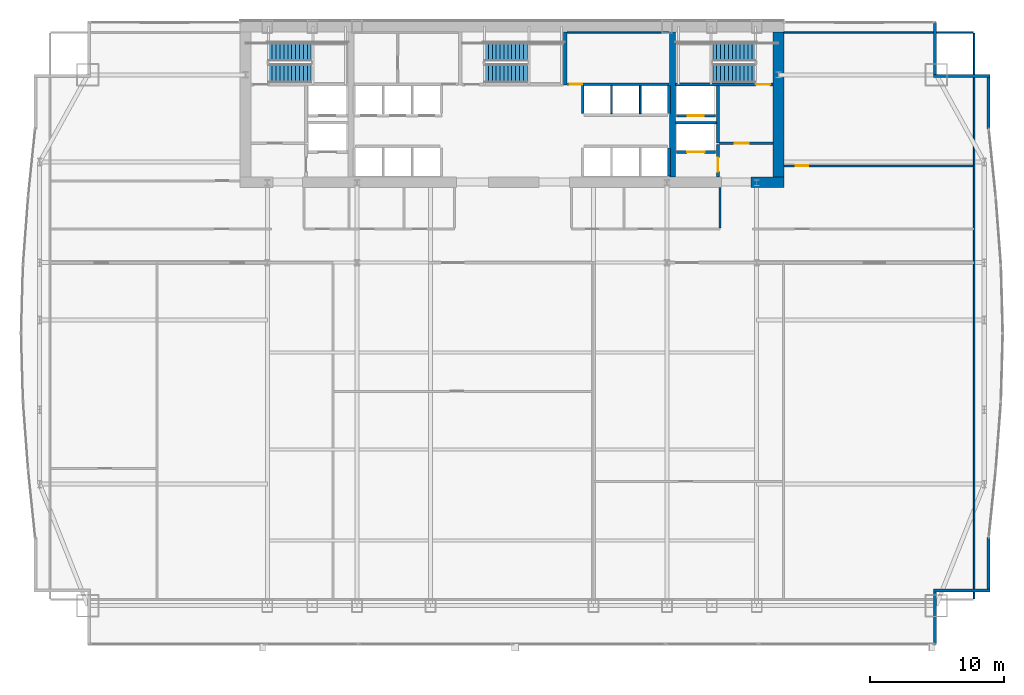
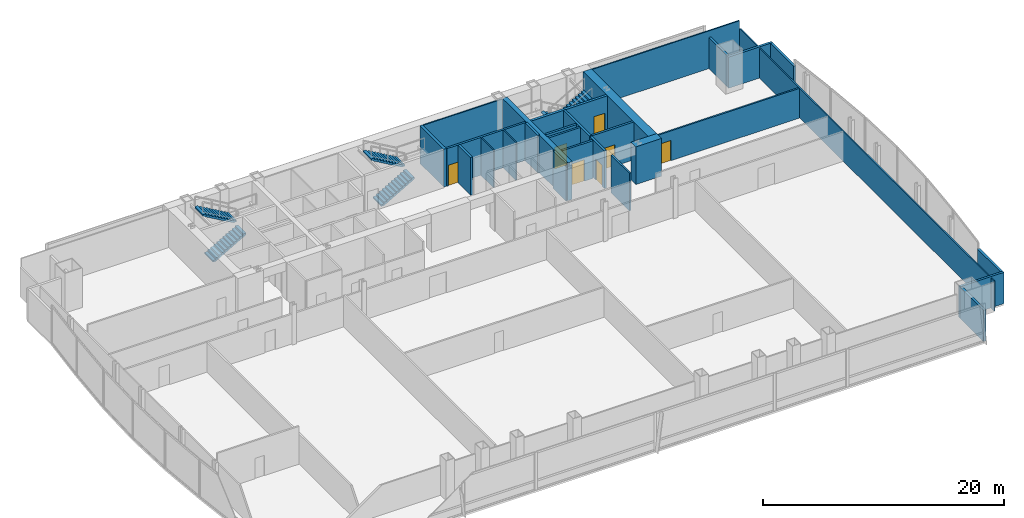
# One storey, part 29 of 32: 28 walls, 7 doors, 6 stair flights, 7 openings, 3 elements without a shape of their own.
"""IFC4 building model written with IfcOpenShell, lengths in metres."""

from ifc_helpers import new_model, si_unit, direction, frame, frame_2d, origin, place, context, subcontext, project, spatial, polyline, rectangle, outline, extrude, material, layer, layer_set, type_object, element, fill, aggregate, save


model = new_model("IFC4")

# Units and contexts
model_context = context("Model", 3, precision=1e-05, world=origin(), true_north=direction((0.0, 1.0)))
body_context = subcontext(model_context, "Body", "Model", "MODEL_VIEW")
ifc_project = project(units=[si_unit("LENGTHUNIT", "METRE"), si_unit("AREAUNIT", "SQUARE_METRE"), si_unit("VOLUMEUNIT", "CUBIC_METRE"), si_unit("PLANEANGLEUNIT", "RADIAN"), si_unit("MASSUNIT", "GRAM", prefix="KILO")], contexts=[model_context])

# Site, building, storey
site_placement = place(None, origin())
site = spatial("IfcSite", under=ifc_project, at=site_placement, CompositionType="ELEMENT")
building_placement = place(site_placement, origin())
building = spatial("IfcBuilding", under=site, at=building_placement, Name="Khoronbel Lancet Exchange", CompositionType="ELEMENT")
storey_placement = place(building_placement, frame((0.0, 0.0, 29.800048828125)))
storey = spatial("IfcBuildingStorey", under=building, at=storey_placement, Name="L06", CompositionType="ELEMENT", Elevation=29.800048828125)

# Walls
ifc_material_1 = material(Name="Concrete C80/95", Category="concrete")
ifc_layer_1 = layer(ifc_material_1, 0.800048828125, Name="Concrete C80/95")
ifc_layer_set_1 = layer_set([ifc_layer_1], Name="Concrete C80/95")
wall_type_1 = type_object("IfcWallType", Name="WL-CW1", PredefinedType="SHEAR", material=ifc_layer_set_1)
wall_1_placement = place(storey_placement, frame((56.300048828125, 52.89990234375, 0.0), z_axis=(0.0, 0.0, 1.0), x_axis=(0.0, -1.0, 0.0)))
element("IfcWall", 1, at=wall_1_placement, inside=storey, type_object=wall_type_1, Name="Level L06 rear core east shear wall", PredefinedType="SHEAR", context=body_context, shape_type="SweptSolid", body=[
    extrude(rectangle(XDim=10.7998046875, YDim=0.800048828125, at=frame_2d((5.39990234375, 0.0))), origin(), (0.0, 0.0, 1.0), 3.820068359375),
])
wall_2_placement = place(storey_placement, frame((56.699951171875, 41.699951171875, 0.0), z_axis=(0.0, 0.0, 1.0), x_axis=(-1.0, 0.0, 0.0)))
element("IfcWall", 2, at=wall_2_placement, inside=storey, type_object=wall_type_1, Name="Level L06 rear core south shear wall pier P5", PredefinedType="SHEAR", context=body_context, shape_type="SweptSolid", body=[
    extrude(rectangle(XDim=2.449951171875, YDim=0.800048828125, at=frame_2d((1.22509765625, 0.0))), origin(), (0.0, 0.0, 1.0), 3.820068359375),
])
ifc_material_2 = material(Name="Precast concrete C40/50", Category="concrete")
ifc_layer_2 = layer(ifc_material_2, 0.25, Name="Precast concrete C40/50")
ifc_layer_set_2 = layer_set([ifc_layer_2], Name="Precast concrete C40/50")
wall_type_2 = type_object("IfcWallType", Name="WL-EXT250", PredefinedType="SOLIDWALL", material=ifc_layer_set_2)
wall_3_placement = place(storey_placement, frame((67.9599609375, 53.6298828125, 0.0), z_axis=(0.0, 0.0, 1.0), x_axis=(0.0, -1.0, 0.0)))
element("IfcWall", 3, at=wall_3_placement, inside=storey, type_object=wall_type_2, Name="Level L06 notched-corner limestone pier 14", PredefinedType="SOLIDWALL", context=body_context, shape_type="SweptSolid", body=[
    extrude(rectangle(XDim=3.909912109375, YDim=0.219970703125, at=frame_2d((1.955078125, 0.0))), origin(), (0.0, 0.0, 1.0), 3.159912109375),
])
wall_4_placement = place(storey_placement, frame((67.85009765625, 49.610107421875, 0.0), z_axis=(0.0, 0.0, 1.0), x_axis=(1.0, 0.0, 0.0)))
element("IfcWall", 4, at=wall_4_placement, inside=storey, type_object=wall_type_2, Name="Level L06 notched-corner limestone pier 15", PredefinedType="SOLIDWALL", context=body_context, shape_type="SweptSolid", body=[
    extrude(rectangle(XDim=4.219970703125, YDim=0.219970703125, at=frame_2d((2.10986328125, 0.0))), origin(), (0.0, 0.0, 1.0), 3.159912109375),
])
for number, where, z_axis, x_axis, name in (
    (5, (71.9599609375, 49.5, 0.0), (0.0, 0.0, 1.0), (0.0, -1.0, 0.0), "Level L06 notched-corner limestone pier 16"),
    (6, (71.9599609375, 15.224609375, 0.0), (0.0, 0.0, 1.0), (0.0, -1.0, 0.0), "Level L06 notched-corner limestone pier 23"),
):
    element("IfcWall", number, at=place(storey_placement, frame(where, z_axis=z_axis, x_axis=x_axis)), inside=storey, type_object=wall_type_2, Name=name, PredefinedType="SOLIDWALL", context=body_context, shape_type="SweptSolid", body=[
        extrude(rectangle(XDim=3.82470703125, YDim=0.219970703125, at=frame_2d((1.912353515625, 0.0))), origin(), (0.0, 0.0, 1.0), 3.159912109375),
    ])
wall_5_placement = place(storey_placement, frame((72.070068359375, 11.2900390625, 0.0), z_axis=(0.0, 0.0, 1.0), x_axis=(-1.0, 0.0, 0.0)))
element("IfcWall", 7, at=wall_5_placement, inside=storey, type_object=wall_type_2, Name="Level L06 notched-corner limestone pier 24", PredefinedType="SOLIDWALL", context=body_context, shape_type="SweptSolid", body=[
    extrude(rectangle(XDim=4.219970703125, YDim=0.219970703125, at=frame_2d((2.10986328125, 0.0))), origin(), (0.0, 0.0, 1.0), 3.159912109375),
])
wall_6_placement = place(storey_placement, frame((67.9599609375, 11.179931640625, 0.0), z_axis=(0.0, 0.0, 1.0), x_axis=(0.0, -1.0, 0.0)))
element("IfcWall", 8, at=wall_6_placement, inside=storey, type_object=wall_type_2, Name="Level L06 notched-corner limestone pier 25", PredefinedType="SOLIDWALL", context=body_context, shape_type="SweptSolid", body=[
    extrude(rectangle(XDim=3.909912109375, YDim=0.219970703125, at=frame_2d((1.955078125, 0.0))), origin(), (0.0, 0.0, 1.0), 3.159912109375),
])
ifc_material_3 = material(Name="Acoustic Metal-Stud & Mineral-Wool Gypsum Partition 120 mm", Category="gypsum")
ifc_layer_3 = layer(ifc_material_3, 0.1201171875, Name="Acoustic Metal-Stud & Mineral-Wool Gypsum Partition 120 mm")
ifc_layer_set_3 = layer_set([ifc_layer_3], Name="Acoustic Metal-Stud & Mineral-Wool Gypsum Partition 120 mm")
wall_type_3 = type_object("IfcWallType", Name="WL-PRT120", PredefinedType="PARTITIONING", material=ifc_layer_set_3)
wall_7_placement = place(storey_placement, frame((51.949951171875, 38.280029296875, 0.0), z_axis=(0.0, 0.0, 1.0), x_axis=(0.0, 1.0, 0.0)))
element("IfcWall", 9, at=wall_7_placement, inside=storey, type_object=wall_type_3, Name="Level L06 interior partition PW-NP-1", PredefinedType="PARTITIONING", context=body_context, shape_type="SweptSolid", body=[
    extrude(rectangle(XDim=3.02001953125, YDim=0.14990234375, at=frame_2d((1.510009765625, 0.0))), origin(), (0.0, 0.0, 1.0), 3.820068359375),
])

# Wall, opening, door
wall_8_placement = place(storey_placement, frame((56.699951171875, 42.919921875, 0.0), z_axis=(0.0, 0.0, 1.0), x_axis=(1.0, 0.0, 0.0)))
wall_8 = element("IfcWall", 10, at=wall_8_placement, inside=storey, type_object=wall_type_3, Name="Level L06 interior partition PW-NE-H", PredefinedType="PARTITIONING", context=body_context, shape_type="SweptSolid", body=[
    extrude(rectangle(XDim=14.10498046875, YDim=0.14990234375, at=frame_2d((7.052490234375, 0.0))), origin(), (0.0, 0.0, 1.0), 3.010009765625),
])
opening_1_placement = place(wall_8_placement, frame((0.89990234375, 0.0, 0.0)))
opening_1 = element("IfcOpeningElement", 11, at=opening_1_placement, cuts=wall_8, Name="Opening D5", PredefinedType="OPENING", context=body_context, shape_type="SweptSolid", body=[
    extrude(rectangle(XDim=0.89990234375, YDim=2.050048828125, at=frame_2d((0.449951171875, 1.02490234375))), frame((0.0, 0.0849609375, 0.0), z_axis=(0.0, -1.0, 0.0), x_axis=(1.0, 0.0, 0.0)), (0.0, 0.0, 1.0), 0.169921875),
])
ifc_material_4 = material(Name="Acoustic Timber Pantry & Support Door", Category="wood")
door_type_1 = type_object("IfcDoorType", Name="DR-D5", OperationType="NOTDEFINED", PredefinedType="DOOR", material=ifc_material_4)
door_1_placement = place(opening_1_placement, origin())
door_1 = element("IfcDoor", 12, at=door_1_placement, inside=storey, type_object=door_type_1, Name="NE north room door L06-1", OperationType="SINGLE_SWING_RIGHT", OverallHeight=2.050048828125, OverallWidth=0.89990234375, PredefinedType="DOOR", context=body_context, shape_type="SweptSolid", body=[
    extrude(rectangle(XDim=0.89990234375, YDim=2.050048828125, at=frame_2d((0.449951171875, 1.02490234375))), frame((0.0, 0.02490234375, 0.0), z_axis=(0.0, -1.0, 0.0), x_axis=(1.0, 0.0, 0.0)), (0.0, 0.0, 1.0), 0.050048828125),
])
fill(opening_1, door_1)

# Walls
wall_9_placement = place(storey_placement, frame((70.8701171875, 10.6650390625, 0.0), z_axis=(0.0, 0.0, 1.0), x_axis=(0.0, 1.0, 0.0)))
element("IfcWall", 13, at=wall_9_placement, inside=storey, type_object=wall_type_3, Name="Level L06 interior partition PW-LIN-E", PredefinedType="PARTITIONING", context=body_context, shape_type="SweptSolid", body=[
    extrude(rectangle(XDim=42.10986328125, YDim=0.1201171875, at=frame_2d((21.054931640625, 0.0))), origin(), (0.0, 0.0, 1.0), 3.010009765625),
])
wall_10_placement = place(storey_placement, frame((56.699951171875, 52.840087890625, 0.0), z_axis=(0.0, 0.0, 1.0), x_axis=(1.0, 0.0, 0.0)))
element("IfcWall", 14, at=wall_10_placement, inside=storey, type_object=wall_type_3, Name="Level L06 interior partition PW-LIN-NE", PredefinedType="PARTITIONING", context=body_context, shape_type="SweptSolid", body=[
    extrude(rectangle(XDim=14.10498046875, YDim=0.1201171875, at=frame_2d((7.052490234375, 0.0))), origin(), (0.0, 0.0, 1.0), 3.820068359375),
])
ifc_material_5 = material(Name="Fire-Rated Metal-Stud & Mineral-Wool Gypsum Partition 120 mm", Category="gypsum")
ifc_layer_4 = layer(ifc_material_5, 0.1201171875, Name="Fire-Rated Metal-Stud & Mineral-Wool Gypsum Partition 120 mm")
ifc_layer_set_4 = layer_set([ifc_layer_4], Name="Fire-Rated Metal-Stud & Mineral-Wool Gypsum Partition 120 mm")
wall_type_4 = type_object("IfcWallType", Name="WL-PRT120F", PredefinedType="PARTITIONING", material=ifc_layer_set_4)
for number, where, z_axis, x_axis, name in (
    (15, (43.860107421875, 46.804931640625, 0.0), (0.0, 0.0, 1.0), (0.0, 1.0, 0.0), "Level L06 interior partition CW-PH-D1"),
    (16, (46.0, 46.804931640625, 0.0), (0.0, 0.0, 1.0), (0.0, 1.0, 0.0), "Level L06 interior partition CW-PH-D2"),
):
    element("IfcWall", number, at=place(storey_placement, frame(where, z_axis=z_axis, x_axis=x_axis)), inside=storey, type_object=wall_type_4, Name=name, PredefinedType="PARTITIONING", context=body_context, shape_type="SweptSolid", body=[
        extrude(rectangle(XDim=2.090087890625, YDim=0.1201171875, at=frame_2d((1.044921875, 0.0))), origin(), (0.0, 0.0, 1.0), 3.820068359375),
    ])
wall_11_placement = place(storey_placement, frame((40.580078125, 52.860107421875, 0.0), z_axis=(0.0, 0.0, 1.0), x_axis=(1.0, 0.0, 0.0)))
element("IfcWall", 17, at=wall_11_placement, inside=storey, type_object=wall_type_4, Name="Level L06 interior partition CW-SUP-NE-N", PredefinedType="PARTITIONING", context=body_context, shape_type="SweptSolid", body=[
    extrude(rectangle(XDim=7.559814453125, YDim=0.1201171875, at=frame_2d((3.77978515625, 0.0))), origin(), (0.0, 0.0, 1.0), 3.820068359375),
])

# Wall, opening, door
ifc_material_6 = material(Name="Autoclaved Aerated Concrete Blockwork 200 mm", Category="masonry")
ifc_layer_5 = layer(ifc_material_6, 0.199951171875, Name="Autoclaved Aerated Concrete Blockwork 200 mm")
ifc_layer_set_5 = layer_set([ifc_layer_5], Name="Autoclaved Aerated Concrete Blockwork 200 mm")
wall_type_5 = type_object("IfcWallType", Name="WL-PRT200", PredefinedType="PARTITIONING", material=ifc_layer_set_5)
wall_12_placement = place(storey_placement, frame((51.610107421875, 43.949951171875, 0.0), z_axis=(0.0, 0.0, 1.0), x_axis=(-1.0, 0.0, 0.0)))
wall_12 = element("IfcWall", 18, at=wall_12_placement, inside=storey, type_object=wall_type_5, Name="Level L06 elevator hoistway landing front wall SVLE", PredefinedType="PARTITIONING", context=body_context, shape_type="SweptSolid", body=[
    extrude(rectangle(XDim=2.920166015625, YDim=0.199951171875, at=frame_2d((1.4599609375, 0.0))), origin(), (0.0, 0.0, 1.0), 3.820068359375),
])
opening_2_placement = place(wall_12_placement, frame((0.81005859375, 0.0, 0.0)))
opening_2 = element("IfcOpeningElement", 19, at=opening_2_placement, cuts=wall_12, Name="Opening LD-SVL2", PredefinedType="OPENING", context=body_context, shape_type="SweptSolid", body=[
    extrude(rectangle(XDim=1.300048828125, YDim=2.179931640625, at=frame_2d((0.64990234375, 1.08984375))), frame((0.0, 0.10986328125, 0.0), z_axis=(0.0, -1.0, 0.0), x_axis=(1.0, 0.0, 0.0)), (0.0, 0.0, 1.0), 0.219970703125),
])
ifc_material_7 = material(Name="Heavy-Duty Bi-Parting Goods Lift Landing Door", Category="steel")
door_type_2 = type_object("IfcDoorType", Name="DR-LD-SVL", OperationType="NOTDEFINED", PredefinedType="DOOR", material=ifc_material_7)
door_2_placement = place(opening_2_placement, origin())
door_2 = element("IfcDoor", 20, at=door_2_placement, inside=storey, type_object=door_type_2, Name="Elevator landing sliding door LD-SVL2 L06", OperationType="SLIDING_TO_LEFT", OverallHeight=2.179931640625, OverallWidth=1.300048828125, PredefinedType="DOOR", context=body_context, shape_type="SweptSolid", body=[
    extrude(rectangle(XDim=1.300048828125, YDim=2.179931640625, at=frame_2d((0.64990234375, 1.08984375))), frame((0.0, 0.02490234375, 0.0), z_axis=(0.0, -1.0, 0.0), x_axis=(1.0, 0.0, 0.0)), (0.0, 0.0, 1.0), 0.050048828125),
])
fill(opening_2, door_2)

wall_13_placement = place(storey_placement, frame((51.610107421875, 46.64990234375, 0.0), z_axis=(0.0, 0.0, 1.0), x_axis=(-1.0, 0.0, 0.0)))
wall_13 = element("IfcWall", 21, at=wall_13_placement, inside=storey, type_object=wall_type_5, Name="Level L06 elevator hoistway landing front wall FFLE", PredefinedType="PARTITIONING", context=body_context, shape_type="SweptSolid", body=[
    extrude(rectangle(XDim=2.920166015625, YDim=0.199951171875, at=frame_2d((1.4599609375, 0.0))), origin(), (0.0, 0.0, 1.0), 3.820068359375),
])
opening_3_placement = place(wall_13_placement, frame((0.860107421875, 0.0, 0.0)))
opening_3 = element("IfcOpeningElement", 22, at=opening_3_placement, cuts=wall_13, Name="Opening LD-FFL2", PredefinedType="OPENING", context=body_context, shape_type="SweptSolid", body=[
    extrude(rectangle(XDim=1.199951171875, YDim=2.179931640625, at=frame_2d((0.60009765625, 1.08984375))), frame((0.0, 0.10986328125, 0.0), z_axis=(0.0, -1.0, 0.0), x_axis=(1.0, 0.0, 0.0)), (0.0, 0.0, 1.0), 0.219970703125),
])
ifc_material_8 = material(Name="Fire-Rated Stainless Bi-Parting Firefighting Lift Door", Category="steel")
door_type_3 = type_object("IfcDoorType", Name="DR-LD-FFL", OperationType="NOTDEFINED", PredefinedType="DOOR", material=ifc_material_8)
door_3_placement = place(opening_3_placement, origin())
door_3 = element("IfcDoor", 23, at=door_3_placement, inside=storey, type_object=door_type_3, Name="Elevator landing sliding door LD-FFL2 L06", OperationType="SLIDING_TO_LEFT", OverallHeight=2.179931640625, OverallWidth=1.199951171875, PredefinedType="DOOR", context=body_context, shape_type="SweptSolid", body=[
    extrude(rectangle(XDim=1.199951171875, YDim=2.179931640625, at=frame_2d((0.60009765625, 1.08984375))), frame((0.0, 0.02490234375, 0.0), z_axis=(0.0, -1.0, 0.0), x_axis=(1.0, 0.0, 0.0)), (0.0, 0.0, 1.0), 0.050048828125),
])
fill(opening_3, door_3)

# Wall
wall_14_placement = place(storey_placement, frame((51.800048828125, 44.60009765625, 0.0), z_axis=(0.0, 0.0, 1.0), x_axis=(0.0, 1.0, 0.0)))
element("IfcWall", 24, at=wall_14_placement, inside=storey, type_object=wall_type_5, Name="Level L06 interior partition CW-FFLE-W", PredefinedType="PARTITIONING", context=body_context, shape_type="SweptSolid", body=[
    extrude(rectangle(XDim=4.2998046875, YDim=0.199951171875, at=frame_2d((2.14990234375, 0.0))), origin(), (0.0, 0.0, 1.0), 3.820068359375),
])

# Wall, opening, door
wall_15_placement = place(storey_placement, frame((51.89990234375, 44.60009765625, 0.0), z_axis=(0.0, 0.0, 1.0), x_axis=(1.0, 0.0, 0.0)))
wall_15 = element("IfcWall", 25, at=wall_15_placement, inside=storey, type_object=wall_type_5, Name="Level L06 interior partition CW-FFLE-S", PredefinedType="PARTITIONING", context=body_context, shape_type="SweptSolid", body=[
    extrude(rectangle(XDim=4.0, YDim=0.199951171875, at=frame_2d((2.0, 0.0))), origin(), (0.0, 0.0, 1.0), 3.820068359375),
])
opening_4_placement = place(wall_15_placement, frame((1.14990234375, 0.0, 0.0)))
opening_4 = element("IfcOpeningElement", 26, at=opening_4_placement, cuts=wall_15, Name="Opening FD1", PredefinedType="OPENING", context=body_context, shape_type="SweptSolid", body=[
    extrude(rectangle(XDim=1.050048828125, YDim=2.14990234375, at=frame_2d((0.52490234375, 1.074951171875))), frame((0.0, 0.10986328125, 0.0), z_axis=(0.0, -1.0, 0.0), x_axis=(1.0, 0.0, 0.0)), (0.0, 0.0, 1.0), 0.219970703125),
])
ifc_material_9 = material(Name="Fire-Rated Painted Steel Door Assembly", Category="steel")
door_type_4 = type_object("IfcDoorType", Name="DR-FD1", OperationType="NOTDEFINED", PredefinedType="DOOR", material=ifc_material_9)
door_4_placement = place(opening_4_placement, origin())
door_4 = element("IfcDoor", 27, at=door_4_placement, inside=storey, type_object=door_type_4, Name="East firefighting lobby FD90S door L06-1", OperationType="SINGLE_SWING_LEFT", OverallHeight=2.14990234375, OverallWidth=1.050048828125, PredefinedType="DOOR", context=body_context, shape_type="SweptSolid", body=[
    extrude(rectangle(XDim=1.050048828125, YDim=2.14990234375, at=frame_2d((0.52490234375, 1.074951171875))), frame((0.0, 0.02490234375, 0.0), z_axis=(0.0, -1.0, 0.0), x_axis=(1.0, 0.0, 0.0)), (0.0, 0.0, 1.0), 0.050048828125),
])
fill(opening_4, door_4)

# Wall
wall_16_placement = place(storey_placement, frame((48.6298828125, 46.1201171875, 0.0), z_axis=(0.0, 0.0, 1.0), x_axis=(1.0, 0.0, 0.0)))
element("IfcWall", 28, at=wall_16_placement, inside=storey, type_object=wall_type_5, Name="Level L06 interior partition CW-FFL2-S", PredefinedType="PARTITIONING", context=body_context, shape_type="SweptSolid", body=[
    extrude(rectangle(XDim=3.070068359375, YDim=0.199951171875, at=frame_2d((1.53515625, 0.0))), origin(), (0.0, 0.0, 1.0), 3.820068359375),
])

# Wall, opening, door
wall_17_placement = place(storey_placement, frame((51.800048828125, 42.10009765625, 0.0), z_axis=(0.0, 0.0, 1.0), x_axis=(0.0, 1.0, 0.0)))
wall_17 = element("IfcWall", 29, at=wall_17_placement, inside=storey, type_object=wall_type_5, Name="Level L06 interior partition CW-SVLE-E", PredefinedType="PARTITIONING", context=body_context, shape_type="SweptSolid", body=[
    extrude(rectangle(XDim=2.39501953125, YDim=0.199951171875, at=frame_2d((1.197509765625, 0.0))), origin(), (0.0, 0.0, 1.0), 3.820068359375),
])
opening_5_placement = place(wall_17_placement, frame((0.3798828125, 0.0, 0.0)))
opening_5 = element("IfcOpeningElement", 30, at=opening_5_placement, cuts=wall_17, Name="Opening FD1", PredefinedType="OPENING", context=body_context, shape_type="SweptSolid", body=[
    extrude(rectangle(XDim=1.050048828125, YDim=2.14990234375, at=frame_2d((0.52490234375, 1.074951171875))), frame((0.0, 0.10986328125, 0.0), z_axis=(0.0, -1.0, 0.0), x_axis=(1.0, 0.0, 0.0)), (0.0, 0.0, 1.0), 0.219970703125),
])
door_5_placement = place(opening_5_placement, origin())
door_5 = element("IfcDoor", 31, at=door_5_placement, inside=storey, type_object=door_type_4, Name="East service lift lobby door L06-1", OperationType="SINGLE_SWING_RIGHT", OverallHeight=2.14990234375, OverallWidth=1.050048828125, PredefinedType="DOOR", context=body_context, shape_type="SweptSolid", body=[
    extrude(rectangle(XDim=1.050048828125, YDim=2.14990234375, at=frame_2d((0.52490234375, 1.074951171875))), frame((0.0, 0.02490234375, 0.0), z_axis=(0.0, -1.0, 0.0), x_axis=(1.0, 0.0, 0.0)), (0.0, 0.0, 1.0), 0.050048828125),
])
fill(opening_5, door_5)

# Walls
for number, where, z_axis, x_axis, name in (
    (32, (41.719970703125, 46.804931640625, 0.0), (0.0, 0.0, 1.0), (0.0, 1.0, 0.0), "Level L06 interior partition CW-PH-W"),
    (33, (48.139892578125, 46.804931640625, 0.0), (0.0, 0.0, 1.0), (0.0, 1.0, 0.0), "Level L06 interior partition CW-PH-E"),
):
    element("IfcWall", number, at=place(storey_placement, frame(where, z_axis=z_axis, x_axis=x_axis)), inside=storey, type_object=wall_type_5, Name=name, PredefinedType="PARTITIONING", context=body_context, shape_type="SweptSolid", body=[
        extrude(rectangle(XDim=2.090087890625, YDim=0.199951171875, at=frame_2d((1.044921875, 0.0))), origin(), (0.0, 0.0, 1.0), 3.820068359375),
    ])
wall_18_placement = place(storey_placement, frame((48.139892578125, 42.14990234375, 0.0), z_axis=(0.0, 0.0, 1.0), x_axis=(0.0, 1.0, 0.0)))
element("IfcWall", 34, at=wall_18_placement, inside=storey, type_object=wall_type_5, Name="Level L06 interior partition CW-PX-E", PredefinedType="PARTITIONING", context=body_context, shape_type="SweptSolid", body=[
    extrude(rectangle(XDim=2.09521484375, YDim=0.199951171875, at=frame_2d((1.047607421875, 0.0))), origin(), (0.0, 0.0, 1.0), 3.820068359375),
])

# Wall, opening, door
wall_19_placement = place(storey_placement, frame((40.580078125, 49.0, 0.0), z_axis=(0.0, 0.0, 1.0), x_axis=(1.0, 0.0, 0.0)))
wall_19 = element("IfcWall", 35, at=wall_19_placement, inside=storey, type_object=wall_type_5, Name="Level L06 interior partition CW-SUP-NE-S", PredefinedType="PARTITIONING", context=body_context, shape_type="SweptSolid", body=[
    extrude(rectangle(XDim=7.559814453125, YDim=0.199951171875, at=frame_2d((3.77978515625, 0.0))), origin(), (0.0, 0.0, 1.0), 3.820068359375),
])
opening_6_placement = place(wall_19_placement, frame((0.159912109375, 0.0, 0.0)))
opening_6 = element("IfcOpeningElement", 36, at=opening_6_placement, cuts=wall_19, Name="Opening FD3", PredefinedType="OPENING", context=body_context, shape_type="SweptSolid", body=[
    extrude(rectangle(XDim=0.949951171875, YDim=2.10009765625, at=frame_2d((0.47509765625, 1.050048828125))), frame((0.0, 0.10986328125, 0.0), z_axis=(0.0, -1.0, 0.0), x_axis=(1.0, 0.0, 0.0)), (0.0, 0.0, 1.0), 0.219970703125),
])
ifc_material_10 = material(Name="Fire-Rated Steel Plant & Riser Door Assembly", Category="steel")
door_type_5 = type_object("IfcDoorType", Name="DR-FD3", OperationType="NOTDEFINED", PredefinedType="DOOR", material=ifc_material_10)
door_6_placement = place(opening_6_placement, origin())
door_6 = element("IfcDoor", 37, at=door_6_placement, inside=storey, type_object=door_type_5, Name="Core NE support room door L06-1", OperationType="SINGLE_SWING_LEFT", OverallHeight=2.10009765625, OverallWidth=0.949951171875, PredefinedType="DOOR", context=body_context, shape_type="SweptSolid", body=[
    extrude(rectangle(XDim=0.949951171875, YDim=2.10009765625, at=frame_2d((0.47509765625, 1.050048828125))), frame((0.0, 0.02490234375, 0.0), z_axis=(0.0, -1.0, 0.0), x_axis=(1.0, 0.0, 0.0)), (0.0, 0.0, 1.0), 0.050048828125),
])
fill(opening_6, door_6)

# Walls
ifc_layer_6 = layer(ifc_material_1, 0.449951171875, Name="Concrete C80/95")
ifc_layer_set_6 = layer_set([ifc_layer_6], Name="Concrete C80/95")
wall_type_6 = type_object("IfcWallType", Name="WL-SW1", PredefinedType="SHEAR", material=ifc_layer_set_6)
wall_20_placement = place(storey_placement, frame((48.39990234375, 42.10009765625, 0.0), z_axis=(0.0, 0.0, 1.0), x_axis=(0.0, 1.0, 0.0)))
element("IfcWall", 38, at=wall_20_placement, inside=storey, type_object=wall_type_6, Name="Level L06 rear core internal spine shear wall IE", PredefinedType="SHEAR", context=body_context, shape_type="SweptSolid", body=[
    extrude(rectangle(XDim=10.7998046875, YDim=0.449951171875, at=frame_2d((5.39990234375, 0.0))), origin(), (0.0, 0.0, 1.0), 3.820068359375),
])
ifc_material_11 = material(Name="Concrete C60/75", Category="concrete")
ifc_layer_7 = layer(ifc_material_11, 0.260009765625, Name="Concrete C60/75")
ifc_layer_set_7 = layer_set([ifc_layer_7], Name="Concrete C60/75")
wall_type_7 = type_object("IfcWallType", Name="WL-SW3", PredefinedType="SHEAR", material=ifc_layer_set_7)
wall_21_placement = place(storey_placement, frame((40.419921875, 48.949951171875, 0.0), z_axis=(0.0, 0.0, 1.0), x_axis=(0.0, 1.0, 0.0)))
element("IfcWall", 39, at=wall_21_placement, inside=storey, type_object=wall_type_7, Name="Level L06 central stairwell structural shear wall ST3E", PredefinedType="SHEAR", context=body_context, shape_type="SweptSolid", body=[
    extrude(rectangle(XDim=3.949951171875, YDim=0.260009765625, at=frame_2d((1.97509765625, 0.0))), origin(), (0.0, 0.0, 1.0), 3.820068359375),
])

# Wall, opening, door
wall_22_placement = place(storey_placement, frame((48.6298828125, 48.97998046875, 0.0), z_axis=(0.0, 0.0, 1.0), x_axis=(1.0, 0.0, 0.0)))
wall_22 = element("IfcWall", 40, at=wall_22_placement, inside=storey, type_object=wall_type_7, Name="Level L06 east stairwell structural south wall", PredefinedType="SHEAR", context=body_context, shape_type="SweptSolid", body=[
    extrude(rectangle(XDim=7.27001953125, YDim=0.239990234375, at=frame_2d((3.635009765625, 0.0))), origin(), (0.0, 0.0, 1.0), 3.820068359375),
])
opening_7_placement = place(wall_22_placement, frame((6.0, 0.0, 0.0)))
opening_7 = element("IfcOpeningElement", 41, at=opening_7_placement, cuts=wall_22, Name="Opening SD1", PredefinedType="OPENING", context=body_context, shape_type="SweptSolid", body=[
    extrude(rectangle(XDim=1.050048828125, YDim=2.14990234375, at=frame_2d((0.52490234375, 1.074951171875))), frame((0.0, 0.1298828125, 0.0), z_axis=(0.0, -1.0, 0.0), x_axis=(1.0, 0.0, 0.0)), (0.0, 0.0, 1.0), 0.260009765625),
])
ifc_material_12 = material(Name="Fire-Rated Steel Stairwell Door Assembly", Category="steel")
door_type_6 = type_object("IfcDoorType", Name="DR-SD1", OperationType="NOTDEFINED", PredefinedType="DOOR", material=ifc_material_12)
door_7_placement = place(opening_7_placement, origin())
door_7 = element("IfcDoor", 42, at=door_7_placement, inside=storey, type_object=door_type_6, Name="Protected exit stair ST2 door L06", OperationType="SINGLE_SWING_RIGHT", OverallHeight=2.14990234375, OverallWidth=1.050048828125, PredefinedType="DOOR", context=body_context, shape_type="SweptSolid", body=[
    extrude(rectangle(XDim=1.050048828125, YDim=2.14990234375, at=frame_2d((0.52490234375, 1.074951171875))), frame((0.0, 0.02490234375, 0.0), z_axis=(0.0, -1.0, 0.0), x_axis=(1.0, 0.0, 0.0)), (0.0, 0.0, 1.0), 0.050048828125),
])
fill(opening_7, door_7)

# Stair, stair flights
ifc_material_13 = material(Name="Concrete C40/50", Category="concrete")
stair_type = type_object("IfcStairType", Name="STR-CORE150", PredefinedType="HALF_TURN_STAIR", material=ifc_material_13)
stair_1_placement = place(storey_placement, origin())
stair_1 = element("IfcStair", 43, at=stair_1_placement, inside=storey, type_object=stair_type, Name="L06 Protected Exit Stair ST1", PredefinedType="HALF_TURN_STAIR")
stair_flight_type = type_object("IfcStairFlightType", Name="STF-150", PredefinedType="STRAIGHT", material=ifc_material_13)
stair_flight_1_placement = place(storey_placement, frame((18.300048828125, 49.81005859375, 0.0), z_axis=(0.0, 0.0, 1.0), x_axis=(1.0, 0.0, 0.0)))
stair_flight_1 = element("IfcStairFlight", 44, at=stair_flight_1_placement, type_object=stair_flight_type, Name="ST1 flight 1", NumberOfRisers=12, NumberOfTreads=11, PredefinedType="STRAIGHT", RiserHeight=0.166666667, TreadLength=0.29, context=body_context, shape_type="SweptSolid", body=[
    extrude(outline(polyline([(0.0, 0.0), (0.0, 0.166748046875), (0.2900390625, 0.166748046875), (0.2900390625, 0.333251953125), (0.580078125, 0.333251953125), (0.580078125, 0.5), (0.8701171875, 0.5), (0.8701171875, 0.666748046875), (1.159912109375, 0.666748046875), (1.159912109375, 0.833251953125), (1.449951171875, 0.833251953125), (1.449951171875, 1.0), (1.739990234375, 1.0), (1.739990234375, 1.166748046875), (2.030029296875, 1.166748046875), (2.030029296875, 1.333251953125), (2.320068359375, 1.333251953125), (2.320068359375, 1.5), (2.610107421875, 1.5), (2.610107421875, 1.666748046875), (2.89990234375, 1.666748046875), (2.89990234375, 1.833251953125), (3.18994140625, 1.833251953125), (3.18994140625, 2.0), (3.18994140625, 1.660400390625), (0.30078125, 0.0), (0.0, 0.0)])), frame((0.0, 0.68994140625, 0.0), z_axis=(0.0, -1.0, 0.0), x_axis=(1.0, 0.0, 0.0)), (0.0, 0.0, 1.0), 1.3798828125),
])
stair_flight_2_placement = place(storey_placement, frame((21.489990234375, 51.409912109375, 2.0), z_axis=(0.0, 0.0, 1.0), x_axis=(-1.0, 0.0, 0.0)))
stair_flight_2 = element("IfcStairFlight", 45, at=stair_flight_2_placement, type_object=stair_flight_type, Name="ST1 flight 2", NumberOfRisers=12, NumberOfTreads=11, PredefinedType="STRAIGHT", RiserHeight=0.166666667, TreadLength=0.29, context=body_context, shape_type="SweptSolid", body=[
    extrude(outline(polyline([(0.0, 0.0), (0.0, 0.166748046875), (0.2900390625, 0.166748046875), (0.2900390625, 0.333251953125), (0.580078125, 0.333251953125), (0.580078125, 0.5), (0.8701171875, 0.5), (0.8701171875, 0.666748046875), (1.159912109375, 0.666748046875), (1.159912109375, 0.833251953125), (1.449951171875, 0.833251953125), (1.449951171875, 1.0), (1.739990234375, 1.0), (1.739990234375, 1.166748046875), (2.030029296875, 1.166748046875), (2.030029296875, 1.333251953125), (2.320068359375, 1.333251953125), (2.320068359375, 1.5), (2.610107421875, 1.5), (2.610107421875, 1.666748046875), (2.89990234375, 1.666748046875), (2.89990234375, 1.833251953125), (3.18994140625, 1.833251953125), (3.18994140625, 2.0), (3.18994140625, 1.660400390625), (0.30078125, 0.0), (0.0, 0.0)])), frame((0.0, 0.68994140625, 0.0), z_axis=(0.0, -1.0, 0.0), x_axis=(1.0, 0.0, 0.0)), (0.0, 0.0, 1.0), 1.3798828125),
])
aggregate(stair_1, [stair_flight_1, stair_flight_2])

stair_2_placement = place(storey_placement, origin())
stair_2 = element("IfcStair", 46, at=stair_2_placement, inside=storey, type_object=stair_type, Name="L06 Protected Exit Stair ST2", PredefinedType="HALF_TURN_STAIR")
stair_flight_3_placement = place(storey_placement, frame((54.60009765625, 51.409912109375, 0.0), z_axis=(0.0, 0.0, 1.0), x_axis=(-1.0, 0.0, 0.0)))
stair_flight_3 = element("IfcStairFlight", 47, at=stair_flight_3_placement, type_object=stair_flight_type, Name="ST2 flight 1", NumberOfRisers=12, NumberOfTreads=11, PredefinedType="STRAIGHT", RiserHeight=0.166666667, TreadLength=0.29, context=body_context, shape_type="SweptSolid", body=[
    extrude(outline(polyline([(0.0, 0.0), (0.0, 0.166748046875), (0.2900390625, 0.166748046875), (0.2900390625, 0.333251953125), (0.580078125, 0.333251953125), (0.580078125, 0.5), (0.8701171875, 0.5), (0.8701171875, 0.666748046875), (1.159912109375, 0.666748046875), (1.159912109375, 0.833251953125), (1.449951171875, 0.833251953125), (1.449951171875, 1.0), (1.739990234375, 1.0), (1.739990234375, 1.166748046875), (2.030029296875, 1.166748046875), (2.030029296875, 1.333251953125), (2.320068359375, 1.333251953125), (2.320068359375, 1.5), (2.610107421875, 1.5), (2.610107421875, 1.666748046875), (2.89990234375, 1.666748046875), (2.89990234375, 1.833251953125), (3.18994140625, 1.833251953125), (3.18994140625, 2.0), (3.18994140625, 1.660400390625), (0.30078125, 0.0), (0.0, 0.0)])), frame((0.0, 0.68994140625, 0.0), z_axis=(0.0, -1.0, 0.0), x_axis=(1.0, 0.0, 0.0)), (0.0, 0.0, 1.0), 1.3798828125),
])
stair_flight_4_placement = place(storey_placement, frame((51.409912109375, 49.81005859375, 2.0), z_axis=(0.0, 0.0, 1.0), x_axis=(1.0, 0.0, 0.0)))
stair_flight_4 = element("IfcStairFlight", 48, at=stair_flight_4_placement, type_object=stair_flight_type, Name="ST2 flight 2", NumberOfRisers=12, NumberOfTreads=11, PredefinedType="STRAIGHT", RiserHeight=0.166666667, TreadLength=0.29, context=body_context, shape_type="SweptSolid", body=[
    extrude(outline(polyline([(0.0, 0.0), (0.0, 0.166748046875), (0.2900390625, 0.166748046875), (0.2900390625, 0.333251953125), (0.580078125, 0.333251953125), (0.580078125, 0.5), (0.8701171875, 0.5), (0.8701171875, 0.666748046875), (1.159912109375, 0.666748046875), (1.159912109375, 0.833251953125), (1.449951171875, 0.833251953125), (1.449951171875, 1.0), (1.739990234375, 1.0), (1.739990234375, 1.166748046875), (2.030029296875, 1.166748046875), (2.030029296875, 1.333251953125), (2.320068359375, 1.333251953125), (2.320068359375, 1.5), (2.610107421875, 1.5), (2.610107421875, 1.666748046875), (2.89990234375, 1.666748046875), (2.89990234375, 1.833251953125), (3.18994140625, 1.833251953125), (3.18994140625, 2.0), (3.18994140625, 1.660400390625), (0.30078125, 0.0), (0.0, 0.0)])), frame((0.0, 0.68994140625, 0.0), z_axis=(0.0, -1.0, 0.0), x_axis=(1.0, 0.0, 0.0)), (0.0, 0.0, 1.0), 1.3798828125),
])
aggregate(stair_2, [stair_flight_3, stair_flight_4])

stair_3_placement = place(storey_placement, origin())
stair_3 = element("IfcStair", 49, at=stair_3_placement, inside=storey, type_object=stair_type, Name="L06 Protected Exit Stair ST3", PredefinedType="HALF_TURN_STAIR")
stair_flight_5_placement = place(storey_placement, frame((34.39990234375, 49.81005859375, 0.0), z_axis=(0.0, 0.0, 1.0), x_axis=(1.0, 0.0, 0.0)))
stair_flight_5 = element("IfcStairFlight", 50, at=stair_flight_5_placement, type_object=stair_flight_type, Name="ST3 flight 1", NumberOfRisers=12, NumberOfTreads=11, PredefinedType="STRAIGHT", RiserHeight=0.166666667, TreadLength=0.29, context=body_context, shape_type="SweptSolid", body=[
    extrude(outline(polyline([(0.0, 0.0), (0.0, 0.166748046875), (0.2900390625, 0.166748046875), (0.2900390625, 0.333251953125), (0.580078125, 0.333251953125), (0.580078125, 0.5), (0.8701171875, 0.5), (0.8701171875, 0.666748046875), (1.159912109375, 0.666748046875), (1.159912109375, 0.833251953125), (1.449951171875, 0.833251953125), (1.449951171875, 1.0), (1.739990234375, 1.0), (1.739990234375, 1.166748046875), (2.030029296875, 1.166748046875), (2.030029296875, 1.333251953125), (2.320068359375, 1.333251953125), (2.320068359375, 1.5), (2.610107421875, 1.5), (2.610107421875, 1.666748046875), (2.89990234375, 1.666748046875), (2.89990234375, 1.833251953125), (3.18994140625, 1.833251953125), (3.18994140625, 2.0), (3.18994140625, 1.660400390625), (0.30078125, 0.0), (0.0, 0.0)])), frame((0.0, 0.68994140625, 0.0), z_axis=(0.0, -1.0, 0.0), x_axis=(1.0, 0.0, 0.0)), (0.0, 0.0, 1.0), 1.3798828125),
])
stair_flight_6_placement = place(storey_placement, frame((37.590087890625, 51.409912109375, 2.0), z_axis=(0.0, 0.0, 1.0), x_axis=(-1.0, 0.0, 0.0)))
stair_flight_6 = element("IfcStairFlight", 51, at=stair_flight_6_placement, type_object=stair_flight_type, Name="ST3 flight 2", NumberOfRisers=12, NumberOfTreads=11, PredefinedType="STRAIGHT", RiserHeight=0.166666667, TreadLength=0.29, context=body_context, shape_type="SweptSolid", body=[
    extrude(outline(polyline([(0.0, 0.0), (0.0, 0.166748046875), (0.2900390625, 0.166748046875), (0.2900390625, 0.333251953125), (0.580078125, 0.333251953125), (0.580078125, 0.5), (0.8701171875, 0.5), (0.8701171875, 0.666748046875), (1.159912109375, 0.666748046875), (1.159912109375, 0.833251953125), (1.449951171875, 0.833251953125), (1.449951171875, 1.0), (1.739990234375, 1.0), (1.739990234375, 1.166748046875), (2.030029296875, 1.166748046875), (2.030029296875, 1.333251953125), (2.320068359375, 1.333251953125), (2.320068359375, 1.5), (2.610107421875, 1.5), (2.610107421875, 1.666748046875), (2.89990234375, 1.666748046875), (2.89990234375, 1.833251953125), (3.18994140625, 1.833251953125), (3.18994140625, 2.0), (3.18994140625, 1.660400390625), (0.30078125, 0.0), (0.0, 0.0)])), frame((0.0, 0.68994140625, 0.0), z_axis=(0.0, -1.0, 0.0), x_axis=(1.0, 0.0, 0.0)), (0.0, 0.0, 1.0), 1.3798828125),
])
aggregate(stair_3, [stair_flight_5, stair_flight_6])

save(model, "model.ifc")
